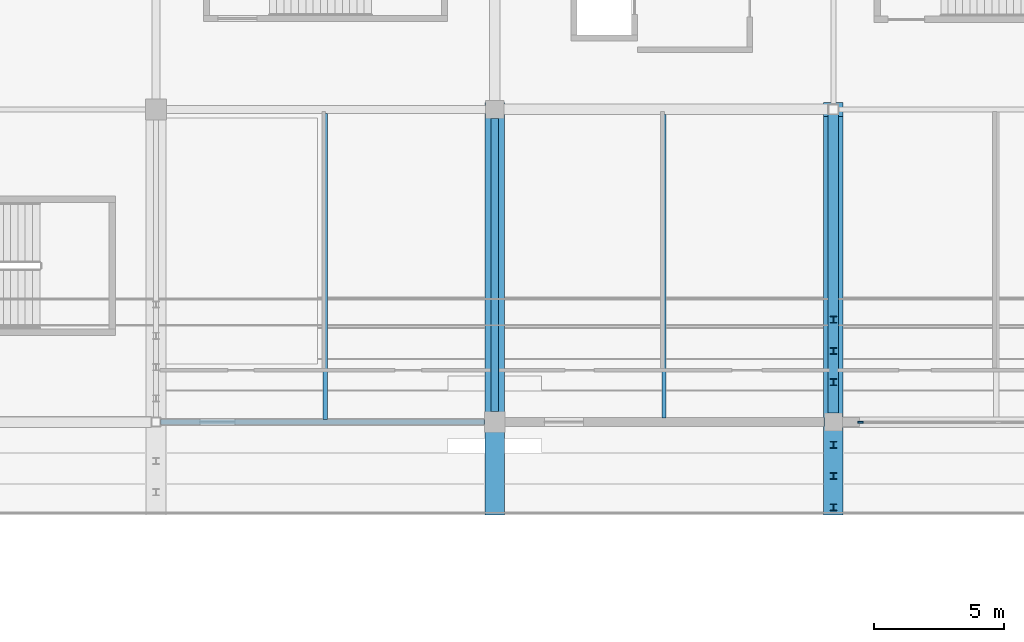
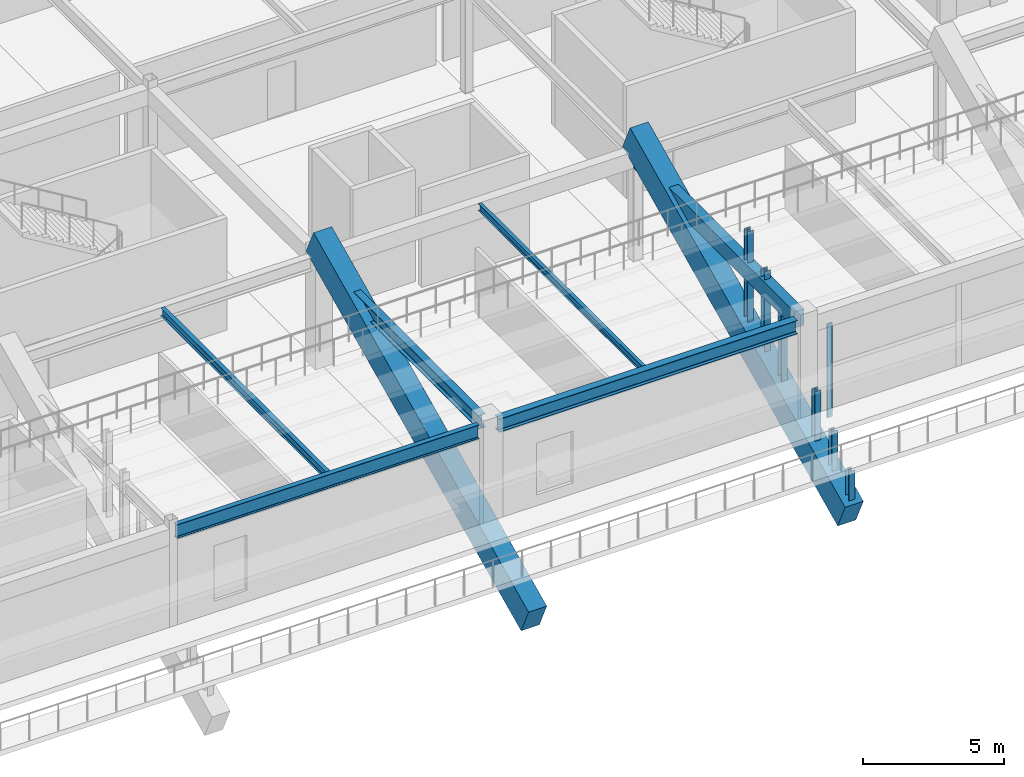
# One storey, part 44 of 128: 8 beams, 7 members, 1 element without a shape of its own.
"""IFC4 building model written with IfcOpenShell, lengths in metres."""

from ifc_helpers import new_model, si_unit, direction, frame, origin, origin_2d, place, context, subcontext, project, spatial, rectangle, i_section, extrude, material, layer, layer_set, material_profile, profile_set, type_object, element, aggregate, save


model = new_model("IFC4")

# Units and contexts
model_context = context("Model", 3, precision=1e-05, world=origin(), true_north=direction((0.0, 1.0)))
body_context = subcontext(model_context, "Body", "Model", "MODEL_VIEW")
ifc_project = project(units=[si_unit("LENGTHUNIT", "METRE"), si_unit("AREAUNIT", "SQUARE_METRE"), si_unit("VOLUMEUNIT", "CUBIC_METRE"), si_unit("PLANEANGLEUNIT", "RADIAN"), si_unit("MASSUNIT", "GRAM", prefix="KILO")], contexts=[model_context])

# Site, building, storey
site_placement = place(None, origin())
site = spatial("IfcSite", under=ifc_project, at=site_placement, CompositionType="ELEMENT")
building_placement = place(site_placement, origin())
building = spatial("IfcBuilding", under=site, at=building_placement, Name="Kazenohara Klinker Stadium", CompositionType="ELEMENT")
storey_placement = place(building_placement, frame((0.0, 0.0, 15.300048828125)))
storey = spatial("IfcBuildingStorey", under=building, at=storey_placement, Name="L03", CompositionType="ELEMENT", Elevation=15.300048828125)

# Beams
ifc_material_1 = material(Name="Steel S355", Category="steel")
ifc_material_profile_1 = material_profile(ifc_material_1, i_section(OverallWidth=0.175048828125, OverallDepth=0.35009765625, WebThickness=0.007080078125, FlangeThickness=0.010986328125, FilletRadius=0.012939453125, at=origin_2d()), Name="H-350x175x7x11")
ifc_profile_set_1 = profile_set([ifc_material_profile_1], Name="Steel S355")
beam_type_1 = type_object("IfcBeamType", Name="BM-JST04", PredefinedType="JOIST", material=ifc_profile_set_1)
beam_1_placement = place(storey_placement, frame((105.5, 132.10009765625, 4.5849609375), z_axis=(0.0, 1.0, 0.0), x_axis=(-1.0, 0.0, 0.0)))
element("IfcBeam", 1, at=beam_1_placement, inside=storey, type_object=beam_type_1, Name="Secondary floor joist SJ04 L03 9/M", PredefinedType="JOIST", context=body_context, shape_type="SweptSolid", body=[
    extrude(i_section(OverallWidth=0.175048828125, OverallDepth=0.35009765625, WebThickness=0.007080078125, FlangeThickness=0.010986328125, FilletRadius=0.012939453125, at=origin_2d()), origin(), (0.0, 0.0, 1.0), 11.75),
])
ifc_material_profile_2 = material_profile(ifc_material_1, i_section(OverallWidth=0.14990234375, OverallDepth=0.300048828125, WebThickness=0.006591796875, FlangeThickness=0.009033203125, FilletRadius=0.012939453125, at=origin_2d()), Name="H-300x150x6.5x9")
ifc_profile_set_2 = profile_set([ifc_material_profile_2], Name="Steel S355")
beam_type_2 = type_object("IfcBeamType", Name="BM-JST05", PredefinedType="JOIST", material=ifc_profile_set_2)
beam_2_placement = place(storey_placement, frame((118.5, 132.14990234375, 4.60986328125), z_axis=(0.0, 1.0, 0.0), x_axis=(-1.0, 0.0, 0.0)))
element("IfcBeam", 2, at=beam_2_placement, inside=storey, type_object=beam_type_2, Name="Secondary floor joist SJ05 L03 10/M", PredefinedType="JOIST", context=body_context, shape_type="SweptSolid", body=[
    extrude(i_section(OverallWidth=0.14990234375, OverallDepth=0.300048828125, WebThickness=0.006591796875, FlangeThickness=0.009033203125, FilletRadius=0.012939453125, at=origin_2d()), origin(), (0.0, 0.0, 1.0), 11.650146484375),
])
ifc_material_2 = material(Name="Concrete C40/50", Category="concrete")
ifc_material_profile_3 = material_profile(ifc_material_2, rectangle(XDim=0.39990234375, YDim=0.699951171875, at=origin_2d()), Name="RC-BM-400x700")
ifc_profile_set_3 = profile_set([ifc_material_profile_3], Name="Concrete C40/50")
beam_type_3 = type_object("IfcBeamType", Name="BM-RC04", PredefinedType="BEAM", material=ifc_profile_set_3)
beam_3_placement = place(storey_placement, frame((125.0, 132.35009765625, 4.409912109375), z_axis=(0.0, 1.0, 0.0), x_axis=(-1.0, 0.0, 0.0)))
element("IfcBeam", 3, at=beam_3_placement, inside=storey, type_object=beam_type_3, Name="Primary girder BG04 L03 11/M-N", PredefinedType="BEAM", context=body_context, shape_type="SweptSolid", body=[
    extrude(rectangle(XDim=0.39990234375, YDim=0.699951171875, at=origin_2d()), origin(), (0.0, 0.0, 1.0), 11.449951171875),
])
ifc_material_profile_4 = material_profile(ifc_material_1, i_section(OverallWidth=0.199951171875, OverallDepth=0.60009765625, WebThickness=0.010986328125, FlangeThickness=0.01708984375, FilletRadius=0.012939453125, at=origin_2d()), Name="H-600x200x11x17")
ifc_profile_set_4 = profile_set([ifc_material_profile_4], Name="Steel S355")
beam_type_4 = type_object("IfcBeamType", Name="BM-ST04", PredefinedType="BEAM", material=ifc_profile_set_4)
beam_4_placement = place(storey_placement, frame((99.175048828125, 132.0, 4.4599609375), z_axis=(1.0, 0.0, 0.0), x_axis=(0.0, 1.0, 0.0)))
element("IfcBeam", 4, at=beam_4_placement, inside=storey, type_object=beam_type_4, Name="Primary girder SB04 L03 9-10/M", PredefinedType="BEAM", context=body_context, shape_type="SweptSolid", body=[
    extrude(i_section(OverallWidth=0.199951171875, OverallDepth=0.60009765625, WebThickness=0.010986328125, FlangeThickness=0.01708984375, FilletRadius=0.012939453125, at=origin_2d()), origin(), (0.0, 0.0, 1.0), 12.425048828125),
])
ifc_material_profile_5 = material_profile(ifc_material_1, i_section(OverallWidth=0.300048828125, OverallDepth=0.587890625, WebThickness=0.011962890625, FlangeThickness=0.02001953125, FilletRadius=0.02197265625, at=origin_2d()), Name="H-588x300x12x20")
ifc_profile_set_5 = profile_set([ifc_material_profile_5], Name="Steel S355")
beam_type_5 = type_object("IfcBeamType", Name="BM-ST05", PredefinedType="BEAM", material=ifc_profile_set_5)
beam_5_placement = place(storey_placement, frame((112.39990234375, 132.0, 4.466064453125), z_axis=(1.0, 0.0, 0.0), x_axis=(0.0, 1.0, 0.0)))
element("IfcBeam", 5, at=beam_5_placement, inside=storey, type_object=beam_type_5, Name="Primary girder SB05 L03 10-11/M", PredefinedType="BEAM", context=body_context, shape_type="SweptSolid", body=[
    extrude(i_section(OverallWidth=0.300048828125, OverallDepth=0.587890625, WebThickness=0.011962890625, FlangeThickness=0.02001953125, FilletRadius=0.02197265625, at=origin_2d()), origin(), (0.0, 0.0, 1.0), 12.25),
])
beam_6_placement = place(storey_placement, frame((112.0, 132.39990234375, 4.466064453125), z_axis=(0.0, 1.0, 0.0), x_axis=(-1.0, 0.0, 0.0)))
element("IfcBeam", 6, at=beam_6_placement, inside=storey, type_object=beam_type_5, Name="Primary girder SB05 L03 10/M-N", PredefinedType="BEAM", context=body_context, shape_type="SweptSolid", body=[
    extrude(i_section(OverallWidth=0.300048828125, OverallDepth=0.587890625, WebThickness=0.011962890625, FlangeThickness=0.02001953125, FilletRadius=0.02197265625, at=origin_2d()), origin(), (0.0, 0.0, 1.0), 11.25),
])

# Curtain wall, member
ifc_material_3 = material(Name="Anodised aluminium and triple glazing", Category="aluminium")
ifc_layer = layer(ifc_material_3, 0.179931640625)
ifc_layer_set = layer_set([ifc_layer], Name="Anodised aluminium and triple glazing")
curtain_wall_type = type_object("IfcCurtainWallType", Name="CW-SYS-02", PredefinedType="USERDEFINED", material=ifc_layer_set)
curtain_wall_placement = place(storey_placement, origin())
curtain_wall = element("IfcCurtainWall", 7, at=curtain_wall_placement, inside=storey, type_object=curtain_wall_type, Name="Unitised facade curtain wall CW02 L03 X10-11", ObjectType="UNITISED CURTAIN WALL", PredefinedType="USERDEFINED")
ifc_material_4 = material(Name="Anodised aluminium 6063-T6", Category="aluminium")
ifc_material_profile_6 = material_profile(ifc_material_4, rectangle(XDim=0.074951171875, YDim=0.219970703125, at=origin_2d()), Name="ALU-MUL-75x220")
ifc_profile_set_6 = profile_set([ifc_material_profile_6], Name="Anodised aluminium 6063-T6")
member_type_1 = type_object("IfcMemberType", Name="CW-MUL-220", PredefinedType="MULLION", material=ifc_profile_set_6)
member_1_placement = place(storey_placement, frame((126.04150390625, 132.0, 0.0), z_axis=(0.0, 0.0, 1.0), x_axis=(0.0, 1.0, 0.0)))
member_1 = element("IfcMember", 8, at=member_1_placement, type_object=member_type_1, Name="CW02 mullion 1", PredefinedType="MULLION", context=body_context, shape_type="SweptSolid", body=[
    extrude(rectangle(XDim=0.074951171875, YDim=0.219970703125, at=origin_2d()), origin(), (0.0, 0.0, 1.0), 4.06005859375),
])
aggregate(curtain_wall, [member_1])

# Members
ifc_material_profile_7 = material_profile(ifc_material_1, i_section(OverallWidth=0.25, OverallDepth=0.25, WebThickness=0.009033203125, FlangeThickness=0.013916015625, FilletRadius=0.012939453125, at=origin_2d()), Name="H-250x250x9x14")
ifc_profile_set_7 = profile_set([ifc_material_profile_7], Name="Steel S355")
member_type_2 = type_object("IfcMemberType", Name="MEM-STR02", PredefinedType="STRUT", material=ifc_profile_set_7)
member_2_placement = place(storey_placement, frame((125.0, 135.929931640625, 2.04541015625), z_axis=(0.0, 0.0, 1.0), x_axis=(1.0, 0.0, 0.0)))
element("IfcMember", 9, at=member_2_placement, inside=storey, type_object=member_type_2, Name="Precast tier riser stool UPPER-N-01-10", PredefinedType="STRUT", context=body_context, shape_type="SweptSolid", body=[
    extrude(i_section(OverallWidth=0.25, OverallDepth=0.25, WebThickness=0.009033203125, FlangeThickness=0.013916015625, FilletRadius=0.012939453125, at=origin_2d()), origin(), (0.0, 0.0, 1.0), 4.074462890625),
])
member_3_placement = place(storey_placement, frame((125.0, 134.72998046875, 1.49853515625), z_axis=(0.0, 0.0, 1.0), x_axis=(1.0, 0.0, 0.0)))
element("IfcMember", 10, at=member_3_placement, inside=storey, type_object=member_type_2, Name="Precast tier riser stool UPPER-N-02-10", PredefinedType="STRUT", context=body_context, shape_type="SweptSolid", body=[
    extrude(i_section(OverallWidth=0.25, OverallDepth=0.25, WebThickness=0.009033203125, FlangeThickness=0.013916015625, FilletRadius=0.012939453125, at=origin_2d()), origin(), (0.0, 0.0, 1.0), 3.613037109375),
])
member_4_placement = place(storey_placement, frame((125.0, 133.530029296875, 0.95166015625), z_axis=(0.0, 0.0, 1.0), x_axis=(1.0, 0.0, 0.0)))
element("IfcMember", 11, at=member_4_placement, inside=storey, type_object=member_type_2, Name="Precast tier riser stool UPPER-N-03-10", PredefinedType="STRUT", context=body_context, shape_type="SweptSolid", body=[
    extrude(i_section(OverallWidth=0.25, OverallDepth=0.25, WebThickness=0.009033203125, FlangeThickness=0.013916015625, FilletRadius=0.012939453125, at=origin_2d()), origin(), (0.0, 0.0, 1.0), 3.151611328125),
])
member_5_placement = place(storey_placement, frame((125.0, 131.1298828125, -0.141845703125), z_axis=(0.0, 0.0, 1.0), x_axis=(1.0, 0.0, 0.0)))
element("IfcMember", 12, at=member_5_placement, inside=storey, type_object=member_type_2, Name="Precast tier riser stool UPPER-N-05-10", PredefinedType="STRUT", context=body_context, shape_type="SweptSolid", body=[
    extrude(i_section(OverallWidth=0.25, OverallDepth=0.25, WebThickness=0.009033203125, FlangeThickness=0.013916015625, FilletRadius=0.012939453125, at=origin_2d()), origin(), (0.0, 0.0, 1.0), 2.228515625),
])
member_6_placement = place(storey_placement, frame((125.0, 129.929931640625, -0.68896484375), z_axis=(0.0, 0.0, 1.0), x_axis=(1.0, 0.0, 0.0)))
element("IfcMember", 13, at=member_6_placement, inside=storey, type_object=member_type_2, Name="Precast tier riser stool UPPER-N-06-10", PredefinedType="STRUT", context=body_context, shape_type="SweptSolid", body=[
    extrude(i_section(OverallWidth=0.25, OverallDepth=0.25, WebThickness=0.009033203125, FlangeThickness=0.013916015625, FilletRadius=0.012939453125, at=origin_2d()), origin(), (0.0, 0.0, 1.0), 1.767333984375),
])
member_7_placement = place(storey_placement, frame((125.0, 128.72998046875, -1.235595703125), z_axis=(0.0, 0.0, 1.0), x_axis=(1.0, 0.0, 0.0)))
element("IfcMember", 14, at=member_7_placement, inside=storey, type_object=member_type_2, Name="Precast tier riser stool UPPER-N-07-10", PredefinedType="STRUT", context=body_context, shape_type="SweptSolid", body=[
    extrude(i_section(OverallWidth=0.25, OverallDepth=0.25, WebThickness=0.009033203125, FlangeThickness=0.013916015625, FilletRadius=0.012939453125, at=origin_2d()), origin(), (0.0, 0.0, 1.0), 1.3056640625),
])

# Beams
ifc_material_5 = material(Name="Precast concrete C50/60", Category="concrete")
ifc_material_profile_8 = material_profile(ifc_material_5, rectangle(XDim=0.75, YDim=1.25, at=origin_2d()), Name="PC-RAKER-750x1250")
ifc_profile_set_8 = profile_set([ifc_material_profile_8], Name="Precast concrete C50/60")
beam_type_6 = type_object("IfcBeamType", Name="RAKER-RK02", PredefinedType="USERDEFINED", material=ifc_profile_set_8)
for number, where, z_axis, x_axis, name in (
    (15, (112.0, 144.0, 5.351318359375), (0.0, -0.904820338238, -0.425793559734), (1.0, 0.0, 0.0), "Precast bowl raker girder RK02 UPPER North 10"),
    (16, (125.0, 144.0, 5.351318359375), (0.0, -0.904820338238, -0.425793559734), (1.0, 0.0, 0.0), "Precast bowl raker girder RK02 UPPER North 11"),
):
    element("IfcBeam", number, at=place(storey_placement, frame(where, z_axis=z_axis, x_axis=x_axis)), inside=storey, type_object=beam_type_6, Name=name, ObjectType="RAKER", PredefinedType="USERDEFINED", context=body_context, shape_type="SweptSolid", body=[
        extrude(rectangle(XDim=0.75, YDim=1.25, at=origin_2d()), origin(), (0.0, 0.0, 1.0), 16.909423828125),
    ])

save(model, "model.ifc")
